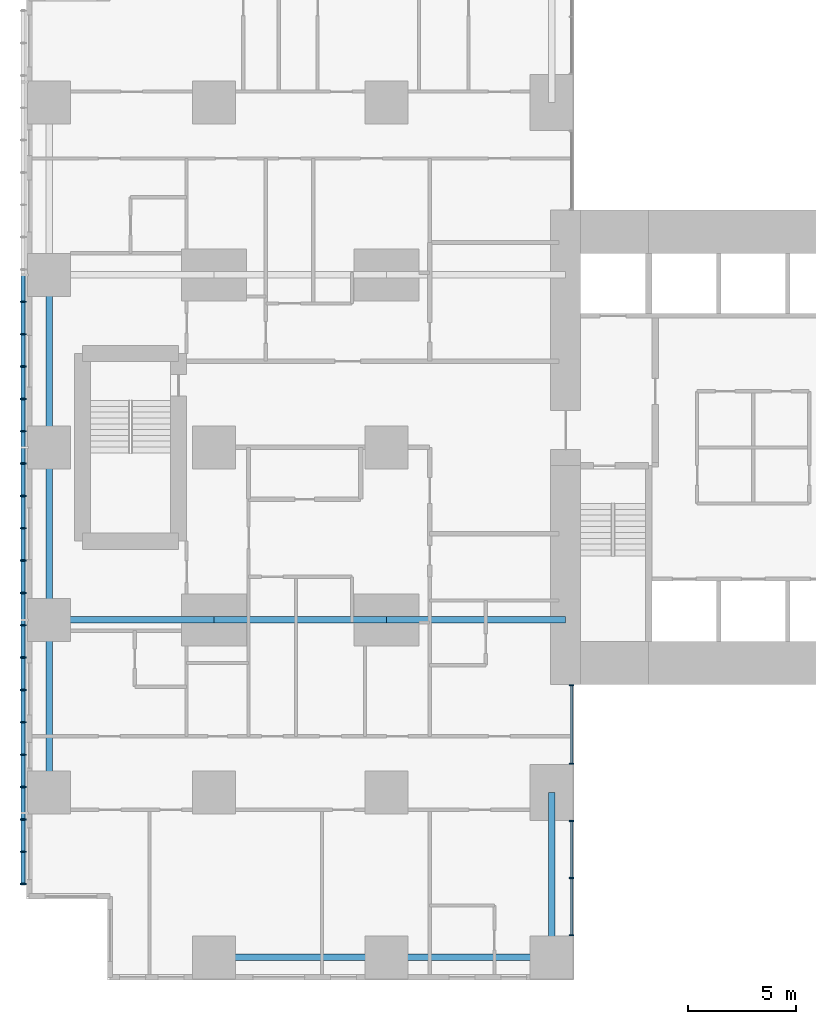
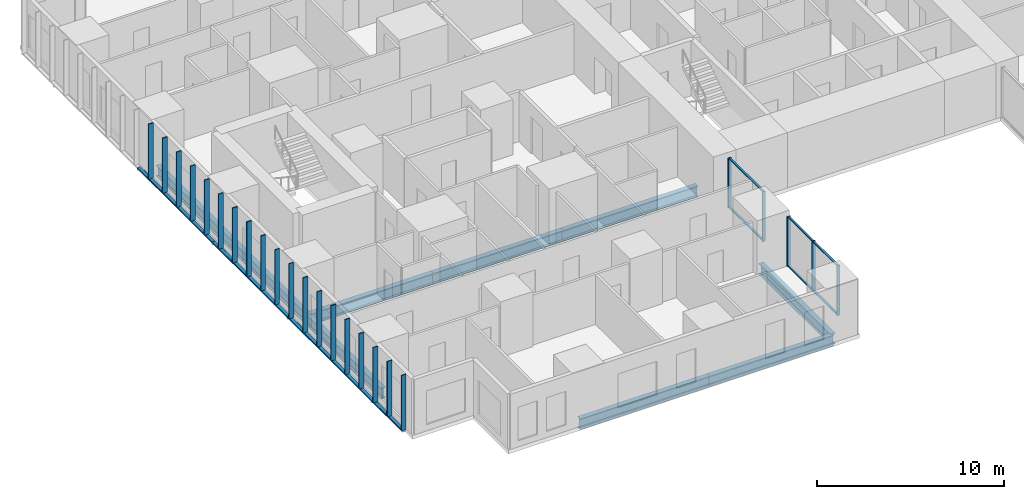
# One storey, part 2 of 20: 33 members, 9 beams, 2 elements without a shape of their own.
"""IFC4 building model written with IfcOpenShell, lengths in metres."""

import ifcopenshell
import ifcopenshell.guid

model = None  # the IFC model being written
_history = None  # IfcOwnerHistory: only IFC2X3 demands one
_inside = {}  # id of a spatial element -> (the spatial element, [elements in it])
_under = {}  # id of a project, library or spatial element -> (it, [spatial elements below it])
_declared = {}  # id of a project -> (the project, [libraries it declares])
_typed = {}  # id of a type object -> (the type object, [elements of that type])
_made_of = {}  # id of a material, layer set ... -> (it, [elements and type objects made of it])


def new_model(schema):
    """Start an empty IFC model of exactly this schema.

    Asked for "IFC4X3", IfcOpenShell would pick the latest addendum, in which some entities
    have other attributes; the version numbers below select the first issue.
    IFC2X3 requires an IfcOwnerHistory on every rooted entity: one is made here for all.
    """
    global model, _history
    if schema == "IFC4X3":
        model = ifcopenshell.file(schema_version=(4, 3, 0, 0))
    else:
        model = ifcopenshell.file(schema=schema)
    _inside.clear()
    _under.clear()
    _declared.clear()
    _typed.clear()
    _made_of.clear()
    _history = None
    if model.schema == "IFC2X3":
        org = make("IfcOrganization", Name="unknown")
        user = make(
            "IfcPersonAndOrganization",
            ThePerson=make("IfcPerson", FamilyName="unknown"),
            TheOrganization=org,
        )
        app = make(
            "IfcApplication",
            ApplicationDeveloper=org,
            Version="unknown",
            ApplicationFullName="unknown",
            ApplicationIdentifier="unknown",
        )
        _history = make(
            "IfcOwnerHistory",
            OwningUser=user,
            OwningApplication=app,
            ChangeAction="ADDED",
            CreationDate=0,
        )
    return model


def make(cls, **values):
    """One entity of the class cls with the attributes given. An attribute that is None is left unset."""
    return model.create_entity(
        cls, **{name: value for name, value in values.items() if value is not None}
    )


def rooted(cls, **values):
    """An entity with a GlobalId (a new one), such as an element, a storey or a relation."""
    return make(cls, GlobalId=ifcopenshell.guid.new(), OwnerHistory=_history, **values)


def si_unit(unit_type, name, prefix=None):
    """IfcSIUnit, for example si_unit("LENGTHUNIT", "METRE", prefix="MILLI")."""
    return make("IfcSIUnit", UnitType=unit_type, Prefix=prefix, Name=name)


def assignment(units):
    """IfcUnitAssignment: the units of a project."""
    return None if units is None else make("IfcUnitAssignment", Units=units)


def point(xyz):
    """IfcCartesianPoint."""
    return None if xyz is None else make("IfcCartesianPoint", Coordinates=xyz)


def direction(xyz):
    """IfcDirection."""
    return None if xyz is None else make("IfcDirection", DirectionRatios=xyz)


def frame(location, z_axis=None, x_axis=None):
    """IfcAxis2Placement3D, a coordinate frame: its origin and axes. An axis left out is left unset."""
    return make(
        "IfcAxis2Placement3D",
        Location=point(location),
        Axis=direction(z_axis),
        RefDirection=direction(x_axis),
    )


def frame_2d(location, x_axis=None):
    """IfcAxis2Placement2D, a coordinate frame in the plane: its origin and x axis."""
    return make(
        "IfcAxis2Placement2D", Location=point(location), RefDirection=direction(x_axis)
    )


def origin():
    """The frame at (0, 0, 0) with its axes left unset."""
    return frame((0.0, 0.0, 0.0))


def origin_2d():
    """The frame at (0, 0) in the plane with its x axis left unset."""
    return frame_2d((0.0, 0.0))


def place(relative_to, where):
    """IfcLocalPlacement: puts the frame where relative to a parent placement (None: the world)."""
    return make(
        "IfcLocalPlacement", PlacementRelTo=relative_to, RelativePlacement=where
    )


def context(
    kind, dimensions, precision=None, world=None, true_north=None, identifier=None
):
    """IfcGeometricRepresentationContext, for example the 3D "Model" context."""
    return make(
        "IfcGeometricRepresentationContext",
        ContextIdentifier=identifier,
        ContextType=kind,
        CoordinateSpaceDimension=dimensions,
        Precision=precision,
        WorldCoordinateSystem=world,
        TrueNorth=true_north,
    )


def subcontext(parent, identifier, kind, view, scale=None):
    """IfcGeometricRepresentationSubContext, for example "Body" below "Model"."""
    return make(
        "IfcGeometricRepresentationSubContext",
        ContextIdentifier=identifier,
        ContextType=kind,
        ParentContext=parent,
        TargetScale=scale,
        TargetView=view,
    )


def project(units=None, contexts=None):
    """IfcProject with its units and contexts."""
    return rooted(
        "IfcProject",
        Name="project",
        RepresentationContexts=contexts,
        UnitsInContext=assignment(units),
    )


def spatial(cls, under=None, at=None, **own):
    """A site, building, storey or space (cls), placed at a placement, below another one or the project."""
    s = rooted(cls, ObjectPlacement=at, **own)
    if under is not None:
        _under.setdefault(under.id(), (under, []))[1].append(s)
    return s


def profile(cls, at=None, kind="AREA", **sizes):
    """A parametric profile (cls). Its sizes go by their IFC names, for example OverallWidth=200.0."""
    return make(cls, ProfileType=kind, Position=at, **sizes)


def rectangle(**sizes):
    """IfcRectangleProfileDef."""
    return profile("IfcRectangleProfileDef", **sizes)


def hollow_rectangle(**sizes):
    """IfcRectangleHollowProfileDef."""
    return profile("IfcRectangleHollowProfileDef", **sizes)


def i_section(**sizes):
    """IfcIShapeProfileDef."""
    return profile("IfcIShapeProfileDef", **sizes)


def extrude(swept, where, along, depth):
    """IfcExtrudedAreaSolid: the profile swept, set in the frame where, extruded along a direction by depth."""
    return make(
        "IfcExtrudedAreaSolid",
        SweptArea=swept,
        Position=where,
        ExtrudedDirection=direction(along),
        Depth=depth,
    )


def shape(context_of_items, identifier, shape_type, items):
    """IfcShapeRepresentation: the items that make up one representation, for example the "Body"."""
    return make(
        "IfcShapeRepresentation",
        ContextOfItems=context_of_items,
        RepresentationIdentifier=identifier,
        RepresentationType=shape_type,
        Items=items,
    )


def material(Name=None, Category=None):
    """IfcMaterial."""
    return make("IfcMaterial", Name=Name, Category=Category)


def layer(
    of_material, thickness, ventilated=None, Name=None, Category=None, Priority=None
):
    """IfcMaterialLayer: one layer of a wall or slab, of a material (None: an air gap)."""
    return make(
        "IfcMaterialLayer",
        Material=of_material,
        LayerThickness=thickness,
        IsVentilated=ventilated,
        Name=Name,
        Category=Category,
        Priority=Priority,
    )


def layer_set(layers, Name=None):
    """IfcMaterialLayerSet."""
    return make("IfcMaterialLayerSet", MaterialLayers=layers, LayerSetName=Name)


def material_profile(
    of_material, cross_section, Name=None, Category=None, Priority=None
):
    """IfcMaterialProfile: a cross section and its material."""
    return make(
        "IfcMaterialProfile",
        Name=Name,
        Material=of_material,
        Profile=cross_section,
        Priority=Priority,
        Category=Category,
    )


def profile_set(profiles, Name=None, composite=None):
    """IfcMaterialProfileSet."""
    return make(
        "IfcMaterialProfileSet",
        Name=Name,
        MaterialProfiles=profiles,
        CompositeProfile=composite,
    )


def made_of(thing, what):
    """Note that an element or type object is made of a material, layer set ...; save() writes the relation."""
    if what is not None:
        _made_of.setdefault(what.id(), (what, []))[1].append(thing)
    return thing


def type_object(cls, material=None, **own):
    """A type object (cls), such as IfcWallType, which elements share."""
    return made_of(rooted(cls, **own), material)


def element(
    cls,
    number,
    at=None,
    inside=None,
    cuts=None,
    type_object=None,
    material=None,
    context=None,
    identifier="Body",
    shape_type=None,
    held_by="IfcProductDefinitionShape",
    body=None,
    shapes=None,
    **own,
):
    """One element of the class cls, such as IfcWall. Its Tag is "e" and its number.

    at: its placement. inside: the storey or other place that contains it. cuts: it is an
    opening in that element (IfcRelVoidsElement). A single representation is given by context,
    identifier, shape_type and body (its items); several are given by shapes. held_by: the class
    of the entity that holds the representations. save() writes the other relations.
    """
    e = rooted(cls, Tag="e%d" % number, ObjectPlacement=at, **own)
    if body is not None:
        shapes = [shape(context, identifier, shape_type, body)]
    if shapes is not None:
        e.Representation = make(held_by, Representations=shapes)
    if inside is not None:
        _inside.setdefault(inside.id(), (inside, []))[1].append(e)
    if cuts is not None:
        rooted(
            "IfcRelVoidsElement", RelatingBuildingElement=cuts, RelatedOpeningElement=e
        )
    if type_object is not None:
        _typed.setdefault(type_object.id(), (type_object, []))[1].append(e)
    return made_of(e, material)


def aggregate(whole, parts):
    """IfcRelAggregates: a whole, such as a stair, and the parts it consists of."""
    return rooted("IfcRelAggregates", RelatingObject=whole, RelatedObjects=parts)


def save(model, path):
    """Write the relations noted so far, then the file.

    IfcRelAggregates (storeys below a building ...), IfcRelContainedInSpatialStructure (elements
    in a storey), IfcRelDefinesByType, IfcRelAssociatesMaterial and IfcRelDeclares: one each for
    every whole, place, type object, material and project.
    """
    for whole, parts in _under.values():
        aggregate(whole, parts)
    for where, things in _inside.values():
        rooted(
            "IfcRelContainedInSpatialStructure",
            RelatedElements=things,
            RelatingStructure=where,
        )
    for kind, things in _typed.values():
        rooted("IfcRelDefinesByType", RelatedObjects=things, RelatingType=kind)
    for what, things in _made_of.values():
        rooted("IfcRelAssociatesMaterial", RelatedObjects=things, RelatingMaterial=what)
    for by, libraries in _declared.values():
        rooted("IfcRelDeclares", RelatingContext=by, RelatedDefinitions=libraries)
    model.write(path)


model = new_model("IFC4")

# Units and contexts
model_context = context("Model", 3, precision=1e-05, world=origin(), true_north=direction((0.0, 1.0)))
body_context = subcontext(model_context, "Body", "Model", "MODEL_VIEW")
ifc_project = project(units=[si_unit("LENGTHUNIT", "METRE"), si_unit("AREAUNIT", "SQUARE_METRE"), si_unit("VOLUMEUNIT", "CUBIC_METRE"), si_unit("PLANEANGLEUNIT", "RADIAN"), si_unit("MASSUNIT", "GRAM", prefix="KILO")], contexts=[model_context])

# Site, building, storey
site_placement = place(None, origin())
site = spatial("IfcSite", under=ifc_project, at=site_placement, CompositionType="ELEMENT")
building_placement = place(site_placement, origin())
building = spatial("IfcBuilding", under=site, at=building_placement, Name="Cleftline Residences", CompositionType="ELEMENT")
storey_placement = place(building_placement, frame((0.0, 0.0, 168.199951171875)))
storey = spatial("IfcBuildingStorey", under=building, at=storey_placement, Name="L44", CompositionType="ELEMENT", Elevation=168.199951171875)

# Members
ifc_material_1 = material(Name="Steel S355, hot-dip galvanised", Category="steel")
ifc_material_profile_1 = material_profile(ifc_material_1, hollow_rectangle(XDim=0.10009765625, YDim=0.199951171875, WallThickness=0.008056640625, InnerFilletRadius=0.008056640625, OuterFilletRadius=0.011962890625, at=origin_2d()))
ifc_profile_set_1 = profile_set([ifc_material_profile_1], Name="Steel S355, hot-dip galvanised")
member_type_1 = type_object("IfcMemberType", Name="BAGUETTE CARRIER RHS 200X100X8", PredefinedType="USERDEFINED", material=ifc_profile_set_1)
for number, where, z_axis, x_axis, name in (
    (1, (-0.85009765625, 32.0, -0.050048828125), (0.0, -1.0, 0.0), (0.0, 0.0, 1.0), "Baguette carrier"),
    (2, (-0.85009765625, 24.0, -0.050048828125), (0.0, -1.0, 0.0), (0.0, 0.0, 1.0), "Baguette carrier"),
):
    element("IfcMember", number, at=place(storey_placement, frame(where, z_axis=z_axis, x_axis=x_axis)), inside=storey, type_object=member_type_1, Name=name, ObjectType="BAGUETTE CARRIER", PredefinedType="USERDEFINED", context=body_context, shape_type="SweptSolid", body=[
        extrude(hollow_rectangle(XDim=0.10009765625, YDim=0.199951171875, WallThickness=0.008056640625, InnerFilletRadius=0.008056640625, OuterFilletRadius=0.011962890625, at=origin_2d()), origin(), (0.0, 0.0, 1.0), 8.0),
    ])
member_1_placement = place(storey_placement, frame((-0.85009765625, 16.0, -0.050048828125), z_axis=(0.0, -1.0, 0.0), x_axis=(0.0, 0.0, 1.0)))
element("IfcMember", 3, at=member_1_placement, inside=storey, type_object=member_type_1, Name="Baguette carrier", ObjectType="BAGUETTE CARRIER", PredefinedType="USERDEFINED", context=body_context, shape_type="SweptSolid", body=[
    extrude(hollow_rectangle(XDim=0.10009765625, YDim=0.199951171875, WallThickness=0.008056640625, InnerFilletRadius=0.008056640625, OuterFilletRadius=0.011962890625, at=origin_2d()), origin(), (0.0, 0.0, 1.0), 12.300048828125),
])

# Beams
ifc_material_2 = material(Name="Steel S355", Category="steel")
ifc_material_profile_2 = material_profile(ifc_material_2, i_section(OverallWidth=0.300048828125, OverallDepth=0.699951171875, WebThickness=0.01708984375, FlangeThickness=0.031982421875, FilletRadius=0.027099609375, at=origin_2d()))
ifc_profile_set_2 = profile_set([ifc_material_profile_2], Name="Steel S355")
beam_type_1 = type_object("IfcBeamType", Name="BEAM HEB 700", PredefinedType="BEAM", material=ifc_profile_set_2)
for number, where, z_axis, x_axis, name in (
    (4, (0.35009765625, 8.0, -0.599853515625), (0.0, 1.0, 0.0), (-1.0, 0.0, 0.0), "Edge beam"),
    (5, (0.35009765625, 16.0, -0.599853515625), (0.0, 1.0, 0.0), (-1.0, 0.0, 0.0), "Edge beam"),
    (6, (0.35009765625, 24.0, -0.599853515625), (0.0, 1.0, 0.0), (-1.0, 0.0, 0.0), "Edge beam"),
    (7, (8.0, 0.35009765625, -0.599853515625), (1.0, 0.0, 0.0), (0.0, 1.0, 0.0), "Edge beam"),
):
    element("IfcBeam", number, at=place(storey_placement, frame(where, z_axis=z_axis, x_axis=x_axis)), inside=storey, type_object=beam_type_1, Name=name, PredefinedType="BEAM", context=body_context, shape_type="SweptSolid", body=[
        extrude(i_section(OverallWidth=0.300048828125, OverallDepth=0.699951171875, WebThickness=0.01708984375, FlangeThickness=0.031982421875, FilletRadius=0.027099609375, at=origin_2d()), origin(), (0.0, 0.0, 1.0), 8.0),
    ])
for number, where, z_axis, x_axis, name in (
    (8, (16.0, 0.35009765625, -0.599853515625), (1.0, 0.0, 0.0), (0.0, 1.0, 0.0), "Edge beam"),
    (9, (23.64990234375, 0.35009765625, -0.599853515625), (0.0, 1.0, 0.0), (-1.0, 0.0, 0.0), "Edge beam"),
):
    element("IfcBeam", number, at=place(storey_placement, frame(where, z_axis=z_axis, x_axis=x_axis)), inside=storey, type_object=beam_type_1, Name=name, PredefinedType="BEAM", context=body_context, shape_type="SweptSolid", body=[
        extrude(i_section(OverallWidth=0.300048828125, OverallDepth=0.699951171875, WebThickness=0.01708984375, FlangeThickness=0.031982421875, FilletRadius=0.027099609375, at=origin_2d()), origin(), (0.0, 0.0, 1.0), 7.64990234375),
    ])
ifc_material_3 = material(Name="Steel S355", Category="steel")
ifc_material_profile_3 = material_profile(ifc_material_3, i_section(OverallWidth=0.303955078125, OverallDepth=0.716064453125, WebThickness=0.02099609375, FlangeThickness=0.0400390625, FilletRadius=0.027099609375, at=origin_2d()))
ifc_profile_set_3 = profile_set([ifc_material_profile_3], Name="Steel S355")
beam_type_2 = type_object("IfcBeamType", Name="BEAM HEM 700", PredefinedType="BEAM", material=ifc_profile_set_3)
beam_1_placement = place(storey_placement, frame((0.35009765625, 16.0, -0.60791015625), z_axis=(1.0, 0.0, 0.0), x_axis=(0.0, 1.0, 0.0)))
element("IfcBeam", 10, at=beam_1_placement, inside=storey, type_object=beam_type_2, Name="Band beam", PredefinedType="BEAM", context=body_context, shape_type="SweptSolid", body=[
    extrude(i_section(OverallWidth=0.303955078125, OverallDepth=0.716064453125, WebThickness=0.02099609375, FlangeThickness=0.0400390625, FilletRadius=0.027099609375, at=origin_2d()), origin(), (0.0, 0.0, 1.0), 7.64990234375),
])
beam_2_placement = place(storey_placement, frame((8.0, 16.0, -0.60791015625), z_axis=(1.0, 0.0, 0.0), x_axis=(0.0, 1.0, 0.0)))
element("IfcBeam", 11, at=beam_2_placement, inside=storey, type_object=beam_type_2, Name="Band beam", PredefinedType="BEAM", context=body_context, shape_type="SweptSolid", body=[
    extrude(i_section(OverallWidth=0.303955078125, OverallDepth=0.716064453125, WebThickness=0.02099609375, FlangeThickness=0.0400390625, FilletRadius=0.027099609375, at=origin_2d()), origin(), (0.0, 0.0, 1.0), 8.0),
])
beam_3_placement = place(storey_placement, frame((16.0, 16.0, -0.60791015625), z_axis=(1.0, 0.0, 0.0), x_axis=(0.0, 1.0, 0.0)))
element("IfcBeam", 12, at=beam_3_placement, inside=storey, type_object=beam_type_2, Name="Band beam", PredefinedType="BEAM", context=body_context, shape_type="SweptSolid", body=[
    extrude(i_section(OverallWidth=0.303955078125, OverallDepth=0.716064453125, WebThickness=0.02099609375, FlangeThickness=0.0400390625, FilletRadius=0.027099609375, at=origin_2d()), origin(), (0.0, 0.0, 1.0), 8.300048828125),
])

# Curtain wall, members
ifc_material_4 = material(Name="Aluminium framed curtain wall", Category="aluminium")
ifc_layer = layer(ifc_material_4, 0.199951171875)
ifc_layer_set = layer_set([ifc_layer], Name="CW1 CLEFT GLAZING")
curtain_wall_type = type_object("IfcCurtainWallType", Name="CW1 CLEFT GLAZING", PredefinedType="NOTDEFINED", material=ifc_layer_set)
curtain_wall_1_placement = place(storey_placement, origin())
curtain_wall_1 = element("IfcCurtainWall", 13, at=curtain_wall_1_placement, inside=storey, type_object=curtain_wall_type, Name="Curtain wall CW1", PredefinedType="NOTDEFINED")
ifc_material_5 = material(Name="Aluminium mullion", Category="aluminium")
ifc_material_profile_4 = material_profile(ifc_material_5, rectangle(XDim=0.199951171875, YDim=0.06005859375, at=origin_2d()))
ifc_profile_set_4 = profile_set([ifc_material_profile_4], Name="Aluminium mullion")
member_type_2 = type_object("IfcMemberType", Name="CW1 MULLION", PredefinedType="MULLION", material=ifc_profile_set_4)
member_2_placement = place(storey_placement, frame((24.574951171875, 1.3798828125, 0.0), z_axis=(0.0, 0.0, 1.0), x_axis=(-1.0, 0.0, 0.0)))
member_2 = element("IfcMember", 14, at=member_2_placement, type_object=member_type_2, Name="CW1 mullion 1", PredefinedType="MULLION", context=body_context, shape_type="SweptSolid", body=[
    extrude(rectangle(XDim=0.199951171875, YDim=0.06005859375, at=origin_2d()), origin(), (0.0, 0.0, 1.0), 3.25),
])
member_3_placement = place(storey_placement, frame((24.574951171875, 4.02490234375, 0.0), z_axis=(0.0, 0.0, 1.0), x_axis=(-1.0, 0.0, 0.0)))
member_3 = element("IfcMember", 15, at=member_3_placement, type_object=member_type_2, Name="CW1 mullion 2", PredefinedType="MULLION", context=body_context, shape_type="SweptSolid", body=[
    extrude(rectangle(XDim=0.199951171875, YDim=0.06005859375, at=origin_2d()), origin(), (0.0, 0.0, 1.0), 3.25),
])
member_4_placement = place(storey_placement, frame((24.574951171875, 6.669921875, 0.0), z_axis=(0.0, 0.0, 1.0), x_axis=(-1.0, 0.0, 0.0)))
member_4 = element("IfcMember", 16, at=member_4_placement, type_object=member_type_2, Name="CW1 mullion 3", PredefinedType="MULLION", context=body_context, shape_type="SweptSolid", body=[
    extrude(rectangle(XDim=0.199951171875, YDim=0.06005859375, at=origin_2d()), origin(), (0.0, 0.0, 1.0), 3.25),
])

curtain_wall_2_placement = place(storey_placement, origin())
curtain_wall_2 = element("IfcCurtainWall", 17, at=curtain_wall_2_placement, inside=storey, type_object=curtain_wall_type, Name="Curtain wall CW1", PredefinedType="NOTDEFINED")
member_5_placement = place(storey_placement, frame((24.574951171875, 9.330078125, 0.0), z_axis=(0.0, 0.0, 1.0), x_axis=(-1.0, 0.0, 0.0)))
member_5 = element("IfcMember", 18, at=member_5_placement, type_object=member_type_2, Name="CW1 mullion 1", PredefinedType="MULLION", context=body_context, shape_type="SweptSolid", body=[
    extrude(rectangle(XDim=0.199951171875, YDim=0.06005859375, at=origin_2d()), origin(), (0.0, 0.0, 1.0), 3.25),
])
member_6_placement = place(storey_placement, frame((24.574951171875, 12.969970703125, 0.0), z_axis=(0.0, 0.0, 1.0), x_axis=(-1.0, 0.0, 0.0)))
member_6 = element("IfcMember", 19, at=member_6_placement, type_object=member_type_2, Name="CW1 mullion 2", PredefinedType="MULLION", context=body_context, shape_type="SweptSolid", body=[
    extrude(rectangle(XDim=0.199951171875, YDim=0.06005859375, at=origin_2d()), origin(), (0.0, 0.0, 1.0), 3.25),
])

# Member
ifc_material_6 = material(Name="Aluminium transom", Category="aluminium")
ifc_material_profile_5 = material_profile(ifc_material_6, rectangle(XDim=0.1201171875, YDim=0.06005859375, at=origin_2d()))
ifc_profile_set_5 = profile_set([ifc_material_profile_5], Name="Aluminium transom")
member_type_3 = type_object("IfcMemberType", Name="CW1 TRANSOM", PredefinedType="USERDEFINED", material=ifc_profile_set_5)
member_7_placement = place(storey_placement, frame((24.574951171875, 1.409912109375, 0.030029296875), z_axis=(0.0, 1.0, 0.0), x_axis=(-1.0, 0.0, 0.0)))
member_7 = element("IfcMember", 20, at=member_7_placement, type_object=member_type_3, Name="CW1 transom 1.1", ObjectType="TRANSOM", PredefinedType="USERDEFINED", context=body_context, shape_type="SweptSolid", body=[
    extrude(rectangle(XDim=0.1201171875, YDim=0.06005859375, at=origin_2d()), origin(), (0.0, 0.0, 1.0), 2.585205078125),
])

member_8_placement = place(storey_placement, frame((24.574951171875, 1.409912109375, 3.219970703125), z_axis=(0.0, 1.0, 0.0), x_axis=(-1.0, 0.0, 0.0)))
member_8 = element("IfcMember", 21, at=member_8_placement, type_object=member_type_3, Name="CW1 transom 1.2", ObjectType="TRANSOM", PredefinedType="USERDEFINED", context=body_context, shape_type="SweptSolid", body=[
    extrude(rectangle(XDim=0.1201171875, YDim=0.06005859375, at=origin_2d()), origin(), (0.0, 0.0, 1.0), 2.585205078125),
])

member_9_placement = place(storey_placement, frame((24.574951171875, 4.054931640625, 0.030029296875), z_axis=(0.0, 1.0, 0.0), x_axis=(-1.0, 0.0, 0.0)))
member_9 = element("IfcMember", 22, at=member_9_placement, type_object=member_type_3, Name="CW1 transom 2.1", ObjectType="TRANSOM", PredefinedType="USERDEFINED", context=body_context, shape_type="SweptSolid", body=[
    extrude(rectangle(XDim=0.1201171875, YDim=0.06005859375, at=origin_2d()), origin(), (0.0, 0.0, 1.0), 2.5849609375),
])

member_10_placement = place(storey_placement, frame((24.574951171875, 4.054931640625, 3.219970703125), z_axis=(0.0, 1.0, 0.0), x_axis=(-1.0, 0.0, 0.0)))
member_10 = element("IfcMember", 23, at=member_10_placement, type_object=member_type_3, Name="CW1 transom 2.2", ObjectType="TRANSOM", PredefinedType="USERDEFINED", context=body_context, shape_type="SweptSolid", body=[
    extrude(rectangle(XDim=0.1201171875, YDim=0.06005859375, at=origin_2d()), origin(), (0.0, 0.0, 1.0), 2.5849609375),
])

aggregate(curtain_wall_1, [member_2, member_3, member_4, member_7, member_8, member_9, member_10])

member_11_placement = place(storey_placement, frame((24.574951171875, 9.360107421875, 0.030029296875), z_axis=(0.0, 1.0, 0.0), x_axis=(-1.0, 0.0, 0.0)))
member_11 = element("IfcMember", 24, at=member_11_placement, type_object=member_type_3, Name="CW1 transom 1.1", ObjectType="TRANSOM", PredefinedType="USERDEFINED", context=body_context, shape_type="SweptSolid", body=[
    extrude(rectangle(XDim=0.1201171875, YDim=0.06005859375, at=origin_2d()), origin(), (0.0, 0.0, 1.0), 3.579833984375),
])

member_12_placement = place(storey_placement, frame((24.574951171875, 9.360107421875, 3.219970703125), z_axis=(0.0, 1.0, 0.0), x_axis=(-1.0, 0.0, 0.0)))
member_12 = element("IfcMember", 25, at=member_12_placement, type_object=member_type_3, Name="CW1 transom 1.2", ObjectType="TRANSOM", PredefinedType="USERDEFINED", context=body_context, shape_type="SweptSolid", body=[
    extrude(rectangle(XDim=0.1201171875, YDim=0.06005859375, at=origin_2d()), origin(), (0.0, 0.0, 1.0), 3.579833984375),
])

aggregate(curtain_wall_2, [member_5, member_6, member_11, member_12])

# Members
ifc_material_7 = material(Name="Extruded terracotta", Category="masonry")
ifc_material_profile_6 = material_profile(ifc_material_7, rectangle(XDim=0.06005859375, YDim=0.300048828125, at=origin_2d()))
ifc_profile_set_6 = profile_set([ifc_material_profile_6], Name="Extruded terracotta")
member_type_4 = type_object("IfcMemberType", Name="TERRACOTTA BAGUETTE 60X300", PredefinedType="USERDEFINED", material=ifc_profile_set_6)
for number, where, z_axis, x_axis, name in (
    (26, (-0.85009765625, 30.75, 0.0), (0.0, 0.0, 1.0), (0.0, 1.0, 0.0), "Terracotta baguette"),
    (27, (-0.85009765625, 29.25, 0.0), (0.0, 0.0, 1.0), (0.0, 1.0, 0.0), "Terracotta baguette"),
    (28, (-0.85009765625, 27.75, 0.0), (0.0, 0.0, 1.0), (0.0, 1.0, 0.0), "Terracotta baguette"),
    (29, (-0.85009765625, 26.25, 0.0), (0.0, 0.0, 1.0), (0.0, 1.0, 0.0), "Terracotta baguette"),
    (30, (-0.85009765625, 24.75, 0.0), (0.0, 0.0, 1.0), (0.0, 1.0, 0.0), "Terracotta baguette"),
    (31, (-0.85009765625, 23.25, 0.0), (0.0, 0.0, 1.0), (0.0, 1.0, 0.0), "Terracotta baguette"),
    (32, (-0.85009765625, 21.75, 0.0), (0.0, 0.0, 1.0), (0.0, 1.0, 0.0), "Terracotta baguette"),
    (33, (-0.85009765625, 20.25, 0.0), (0.0, 0.0, 1.0), (0.0, 1.0, 0.0), "Terracotta baguette"),
    (34, (-0.85009765625, 18.75, 0.0), (0.0, 0.0, 1.0), (0.0, 1.0, 0.0), "Terracotta baguette"),
    (35, (-0.85009765625, 17.25, 0.0), (0.0, 0.0, 1.0), (0.0, 1.0, 0.0), "Terracotta baguette"),
    (36, (-0.85009765625, 15.75, 0.0), (0.0, 0.0, 1.0), (0.0, 1.0, 0.0), "Terracotta baguette"),
    (37, (-0.85009765625, 14.25, 0.0), (0.0, 0.0, 1.0), (0.0, 1.0, 0.0), "Terracotta baguette"),
    (38, (-0.85009765625, 12.75, 0.0), (0.0, 0.0, 1.0), (0.0, 1.0, 0.0), "Terracotta baguette"),
    (39, (-0.85009765625, 11.25, 0.0), (0.0, 0.0, 1.0), (0.0, 1.0, 0.0), "Terracotta baguette"),
    (40, (-0.85009765625, 9.75, 0.0), (0.0, 0.0, 1.0), (0.0, 1.0, 0.0), "Terracotta baguette"),
    (41, (-0.85009765625, 8.25, 0.0), (0.0, 0.0, 1.0), (0.0, 1.0, 0.0), "Terracotta baguette"),
    (42, (-0.85009765625, 6.75, 0.0), (0.0, 0.0, 1.0), (0.0, 1.0, 0.0), "Terracotta baguette"),
    (43, (-0.85009765625, 5.25, 0.0), (0.0, 0.0, 1.0), (0.0, 1.0, 0.0), "Terracotta baguette"),
    (44, (-0.85009765625, 3.75, 0.0), (0.0, 0.0, 1.0), (0.0, 1.0, 0.0), "Terracotta baguette"),
):
    element("IfcMember", number, at=place(storey_placement, frame(where, z_axis=z_axis, x_axis=x_axis)), inside=storey, type_object=member_type_4, Name=name, ObjectType="BAGUETTE", PredefinedType="USERDEFINED", context=body_context, shape_type="SweptSolid", body=[
        extrude(rectangle(XDim=0.06005859375, YDim=0.300048828125, at=origin_2d()), origin(), (0.0, 0.0, 1.0), 3.60009765625),
    ])

save(model, "model.ifc")
